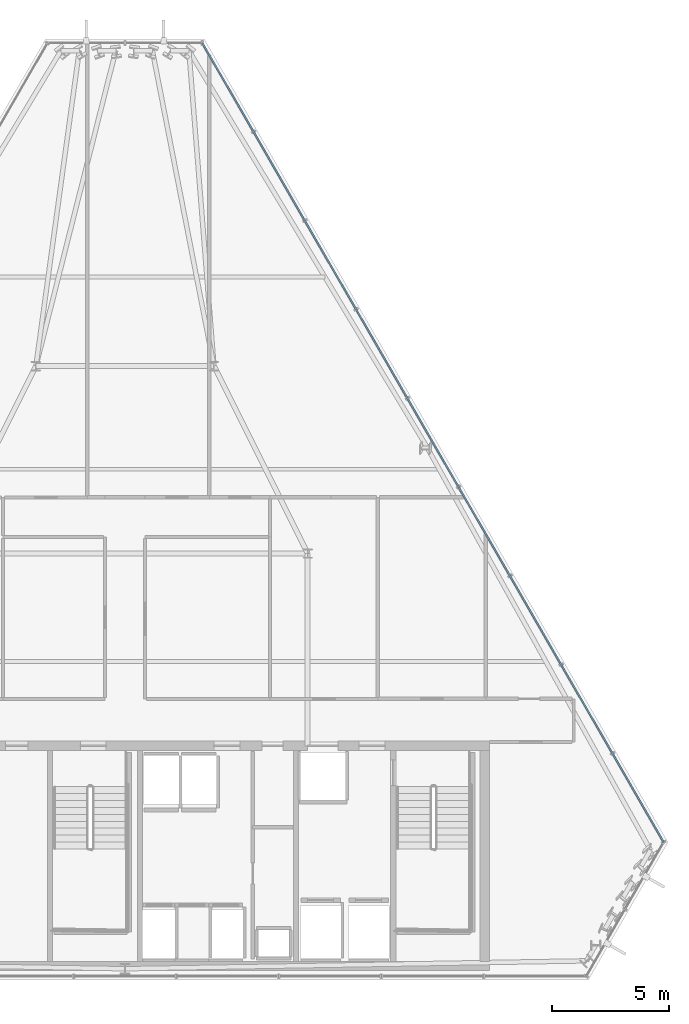
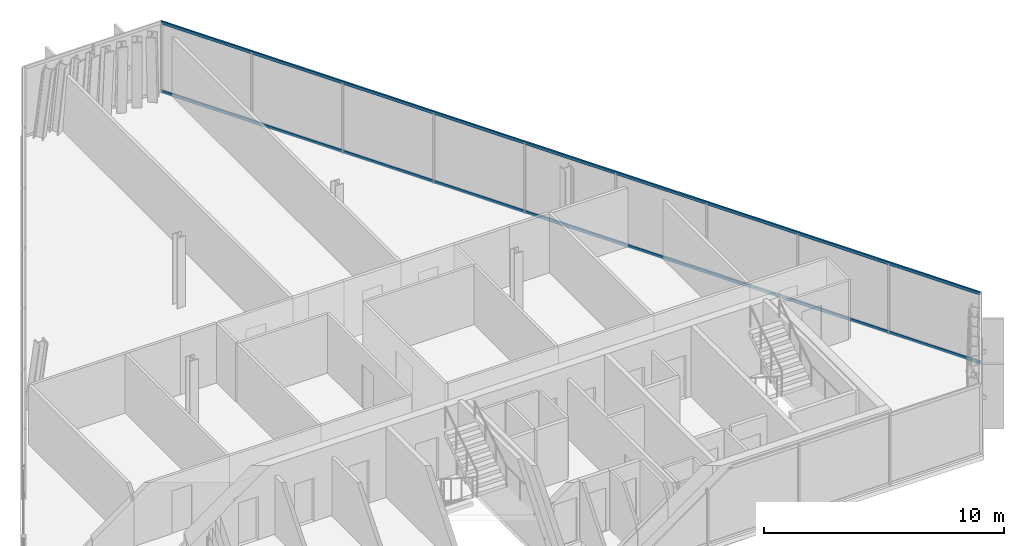
# One storey, part 18 of 29: 2 members, 1 element without a shape of its own.
"""IFC4 building model written with IfcOpenShell, lengths in metres."""

import ifcopenshell
import ifcopenshell.guid

model = None  # the IFC model being written
_history = None  # IfcOwnerHistory: only IFC2X3 demands one
_inside = {}  # id of a spatial element -> (the spatial element, [elements in it])
_under = {}  # id of a project, library or spatial element -> (it, [spatial elements below it])
_declared = {}  # id of a project -> (the project, [libraries it declares])
_typed = {}  # id of a type object -> (the type object, [elements of that type])
_made_of = {}  # id of a material, layer set ... -> (it, [elements and type objects made of it])


def new_model(schema):
    """Start an empty IFC model of exactly this schema.

    Asked for "IFC4X3", IfcOpenShell would pick the latest addendum, in which some entities
    have other attributes; the version numbers below select the first issue.
    IFC2X3 requires an IfcOwnerHistory on every rooted entity: one is made here for all.
    """
    global model, _history
    if schema == "IFC4X3":
        model = ifcopenshell.file(schema_version=(4, 3, 0, 0))
    else:
        model = ifcopenshell.file(schema=schema)
    _inside.clear()
    _under.clear()
    _declared.clear()
    _typed.clear()
    _made_of.clear()
    _history = None
    if model.schema == "IFC2X3":
        org = make("IfcOrganization", Name="unknown")
        user = make(
            "IfcPersonAndOrganization",
            ThePerson=make("IfcPerson", FamilyName="unknown"),
            TheOrganization=org,
        )
        app = make(
            "IfcApplication",
            ApplicationDeveloper=org,
            Version="unknown",
            ApplicationFullName="unknown",
            ApplicationIdentifier="unknown",
        )
        _history = make(
            "IfcOwnerHistory",
            OwningUser=user,
            OwningApplication=app,
            ChangeAction="ADDED",
            CreationDate=0,
        )
    return model


def make(cls, **values):
    """One entity of the class cls with the attributes given. An attribute that is None is left unset."""
    return model.create_entity(
        cls, **{name: value for name, value in values.items() if value is not None}
    )


def rooted(cls, **values):
    """An entity with a GlobalId (a new one), such as an element, a storey or a relation."""
    return make(cls, GlobalId=ifcopenshell.guid.new(), OwnerHistory=_history, **values)


def si_unit(unit_type, name, prefix=None):
    """IfcSIUnit, for example si_unit("LENGTHUNIT", "METRE", prefix="MILLI")."""
    return make("IfcSIUnit", UnitType=unit_type, Prefix=prefix, Name=name)


def assignment(units):
    """IfcUnitAssignment: the units of a project."""
    return None if units is None else make("IfcUnitAssignment", Units=units)


def point(xyz):
    """IfcCartesianPoint."""
    return None if xyz is None else make("IfcCartesianPoint", Coordinates=xyz)


def direction(xyz):
    """IfcDirection."""
    return None if xyz is None else make("IfcDirection", DirectionRatios=xyz)


def frame(location, z_axis=None, x_axis=None):
    """IfcAxis2Placement3D, a coordinate frame: its origin and axes. An axis left out is left unset."""
    return make(
        "IfcAxis2Placement3D",
        Location=point(location),
        Axis=direction(z_axis),
        RefDirection=direction(x_axis),
    )


def frame_2d(location, x_axis=None):
    """IfcAxis2Placement2D, a coordinate frame in the plane: its origin and x axis."""
    return make(
        "IfcAxis2Placement2D", Location=point(location), RefDirection=direction(x_axis)
    )


def origin():
    """The frame at (0, 0, 0) with its axes left unset."""
    return frame((0.0, 0.0, 0.0))


def origin_2d():
    """The frame at (0, 0) in the plane with its x axis left unset."""
    return frame_2d((0.0, 0.0))


def place(relative_to, where):
    """IfcLocalPlacement: puts the frame where relative to a parent placement (None: the world)."""
    return make(
        "IfcLocalPlacement", PlacementRelTo=relative_to, RelativePlacement=where
    )


def context(
    kind, dimensions, precision=None, world=None, true_north=None, identifier=None
):
    """IfcGeometricRepresentationContext, for example the 3D "Model" context."""
    return make(
        "IfcGeometricRepresentationContext",
        ContextIdentifier=identifier,
        ContextType=kind,
        CoordinateSpaceDimension=dimensions,
        Precision=precision,
        WorldCoordinateSystem=world,
        TrueNorth=true_north,
    )


def subcontext(parent, identifier, kind, view, scale=None):
    """IfcGeometricRepresentationSubContext, for example "Body" below "Model"."""
    return make(
        "IfcGeometricRepresentationSubContext",
        ContextIdentifier=identifier,
        ContextType=kind,
        ParentContext=parent,
        TargetScale=scale,
        TargetView=view,
    )


def project(units=None, contexts=None):
    """IfcProject with its units and contexts."""
    return rooted(
        "IfcProject",
        Name="project",
        RepresentationContexts=contexts,
        UnitsInContext=assignment(units),
    )


def spatial(cls, under=None, at=None, **own):
    """A site, building, storey or space (cls), placed at a placement, below another one or the project."""
    s = rooted(cls, ObjectPlacement=at, **own)
    if under is not None:
        _under.setdefault(under.id(), (under, []))[1].append(s)
    return s


def profile(cls, at=None, kind="AREA", **sizes):
    """A parametric profile (cls). Its sizes go by their IFC names, for example OverallWidth=200.0."""
    return make(cls, ProfileType=kind, Position=at, **sizes)


def hollow_rectangle(**sizes):
    """IfcRectangleHollowProfileDef."""
    return profile("IfcRectangleHollowProfileDef", **sizes)


def extrude(swept, where, along, depth):
    """IfcExtrudedAreaSolid: the profile swept, set in the frame where, extruded along a direction by depth."""
    return make(
        "IfcExtrudedAreaSolid",
        SweptArea=swept,
        Position=where,
        ExtrudedDirection=direction(along),
        Depth=depth,
    )


def shape(context_of_items, identifier, shape_type, items):
    """IfcShapeRepresentation: the items that make up one representation, for example the "Body"."""
    return make(
        "IfcShapeRepresentation",
        ContextOfItems=context_of_items,
        RepresentationIdentifier=identifier,
        RepresentationType=shape_type,
        Items=items,
    )


def material(Name=None, Category=None):
    """IfcMaterial."""
    return make("IfcMaterial", Name=Name, Category=Category)


def layer(
    of_material, thickness, ventilated=None, Name=None, Category=None, Priority=None
):
    """IfcMaterialLayer: one layer of a wall or slab, of a material (None: an air gap)."""
    return make(
        "IfcMaterialLayer",
        Material=of_material,
        LayerThickness=thickness,
        IsVentilated=ventilated,
        Name=Name,
        Category=Category,
        Priority=Priority,
    )


def layer_set(layers, Name=None):
    """IfcMaterialLayerSet."""
    return make("IfcMaterialLayerSet", MaterialLayers=layers, LayerSetName=Name)


def material_profile(
    of_material, cross_section, Name=None, Category=None, Priority=None
):
    """IfcMaterialProfile: a cross section and its material."""
    return make(
        "IfcMaterialProfile",
        Name=Name,
        Material=of_material,
        Profile=cross_section,
        Priority=Priority,
        Category=Category,
    )


def profile_set(profiles, Name=None, composite=None):
    """IfcMaterialProfileSet."""
    return make(
        "IfcMaterialProfileSet",
        Name=Name,
        MaterialProfiles=profiles,
        CompositeProfile=composite,
    )


def made_of(thing, what):
    """Note that an element or type object is made of a material, layer set ...; save() writes the relation."""
    if what is not None:
        _made_of.setdefault(what.id(), (what, []))[1].append(thing)
    return thing


def type_object(cls, material=None, **own):
    """A type object (cls), such as IfcWallType, which elements share."""
    return made_of(rooted(cls, **own), material)


def element(
    cls,
    number,
    at=None,
    inside=None,
    cuts=None,
    type_object=None,
    material=None,
    context=None,
    identifier="Body",
    shape_type=None,
    held_by="IfcProductDefinitionShape",
    body=None,
    shapes=None,
    **own,
):
    """One element of the class cls, such as IfcWall. Its Tag is "e" and its number.

    at: its placement. inside: the storey or other place that contains it. cuts: it is an
    opening in that element (IfcRelVoidsElement). A single representation is given by context,
    identifier, shape_type and body (its items); several are given by shapes. held_by: the class
    of the entity that holds the representations. save() writes the other relations.
    """
    e = rooted(cls, Tag="e%d" % number, ObjectPlacement=at, **own)
    if body is not None:
        shapes = [shape(context, identifier, shape_type, body)]
    if shapes is not None:
        e.Representation = make(held_by, Representations=shapes)
    if inside is not None:
        _inside.setdefault(inside.id(), (inside, []))[1].append(e)
    if cuts is not None:
        rooted(
            "IfcRelVoidsElement", RelatingBuildingElement=cuts, RelatedOpeningElement=e
        )
    if type_object is not None:
        _typed.setdefault(type_object.id(), (type_object, []))[1].append(e)
    return made_of(e, material)


def aggregate(whole, parts):
    """IfcRelAggregates: a whole, such as a stair, and the parts it consists of."""
    return rooted("IfcRelAggregates", RelatingObject=whole, RelatedObjects=parts)


def save(model, path):
    """Write the relations noted so far, then the file.

    IfcRelAggregates (storeys below a building ...), IfcRelContainedInSpatialStructure (elements
    in a storey), IfcRelDefinesByType, IfcRelAssociatesMaterial and IfcRelDeclares: one each for
    every whole, place, type object, material and project.
    """
    for whole, parts in _under.values():
        aggregate(whole, parts)
    for where, things in _inside.values():
        rooted(
            "IfcRelContainedInSpatialStructure",
            RelatedElements=things,
            RelatingStructure=where,
        )
    for kind, things in _typed.values():
        rooted("IfcRelDefinesByType", RelatedObjects=things, RelatingType=kind)
    for what, things in _made_of.values():
        rooted("IfcRelAssociatesMaterial", RelatedObjects=things, RelatingMaterial=what)
    for by, libraries in _declared.values():
        rooted("IfcRelDeclares", RelatingContext=by, RelatedDefinitions=libraries)
    model.write(path)


model = new_model("IFC4")

# Units and contexts
model_context = context("Model", 3, precision=1e-05, world=origin(), true_north=direction((0.0, 1.0)))
body_context = subcontext(model_context, "Body", "Model", "MODEL_VIEW")
ifc_project = project(units=[si_unit("LENGTHUNIT", "METRE"), si_unit("AREAUNIT", "SQUARE_METRE"), si_unit("VOLUMEUNIT", "CUBIC_METRE"), si_unit("PLANEANGLEUNIT", "RADIAN"), si_unit("MASSUNIT", "GRAM", prefix="KILO")], contexts=[model_context])

# Site, building, storey
site_placement = place(None, origin())
site = spatial("IfcSite", under=ifc_project, at=site_placement, CompositionType="ELEMENT")
building_placement = place(site_placement, origin())
building = spatial("IfcBuilding", under=site, at=building_placement, Name="Ndaravel Arena Tower", CompositionType="ELEMENT")
storey_placement = place(building_placement, frame((0.0, 0.0, 248.39990234375)))
storey = spatial("IfcBuildingStorey", under=building, at=storey_placement, Name="L60", CompositionType="ELEMENT", Elevation=248.39990234375)

# Curtain wall, members
ifc_material_1 = material(Name="Aluminium", Category="aluminium")
ifc_layer = layer(ifc_material_1, 0.179931640625)
ifc_layer_set = layer_set([ifc_layer], Name="Aluminium")
curtain_wall_type = type_object("IfcCurtainWallType", Name="CW-SYS-03", PredefinedType="NOTDEFINED", material=ifc_layer_set)
curtain_wall_placement = place(storey_placement, origin())
curtain_wall = element("IfcCurtainWall", 1, at=curtain_wall_placement, inside=storey, type_object=curtain_wall_type, Name="L60 Faceted Crystal Curtain Wall CW-L60-E03", PredefinedType="NOTDEFINED")
ifc_material_2 = material(Name="Aluminium", Category="aluminium")
ifc_material_profile = material_profile(ifc_material_2, hollow_rectangle(XDim=0.074951171875, YDim=0.14990234375, WallThickness=0.00390625, at=origin_2d()), Name="CW TRANSOM 75x150x4")
ifc_profile_set = profile_set([ifc_material_profile], Name="Aluminium")
member_type = type_object("IfcMemberType", Name="MEM-CW-TRN150", PredefinedType="USERDEFINED", material=ifc_profile_set)
member_1_placement = place(storey_placement, frame((64.99560546875, 10.882080078125, 0.0400390625), z_axis=(-0.499999339774, 0.866025784966, 0.0), x_axis=(-0.866025784966, -0.499999339774, 0.0)))
member_1 = element("IfcMember", 2, at=member_1_placement, type_object=member_type, Name="CW-L60-E03 Transom 01", ObjectType="TRANSOM", PredefinedType="USERDEFINED", context=body_context, shape_type="SweptSolid", body=[
    extrude(hollow_rectangle(XDim=0.074951171875, YDim=0.14990234375, WallThickness=0.00390625, at=origin_2d()), origin(), (0.0, 0.0, 1.0), 39.3837890625),
])
member_2_placement = place(storey_placement, frame((64.99560546875, 10.882080078125, 3.5400390625), z_axis=(-0.499999339774, 0.866025784966, 0.0), x_axis=(-0.866025784966, -0.499999339774, 0.0)))
member_2 = element("IfcMember", 3, at=member_2_placement, type_object=member_type, Name="CW-L60-E03 Transom 02", ObjectType="TRANSOM", PredefinedType="USERDEFINED", context=body_context, shape_type="SweptSolid", body=[
    extrude(hollow_rectangle(XDim=0.074951171875, YDim=0.14990234375, WallThickness=0.00390625, at=origin_2d()), origin(), (0.0, 0.0, 1.0), 39.3837890625),
])
aggregate(curtain_wall, [member_1, member_2])

save(model, "model.ifc")
